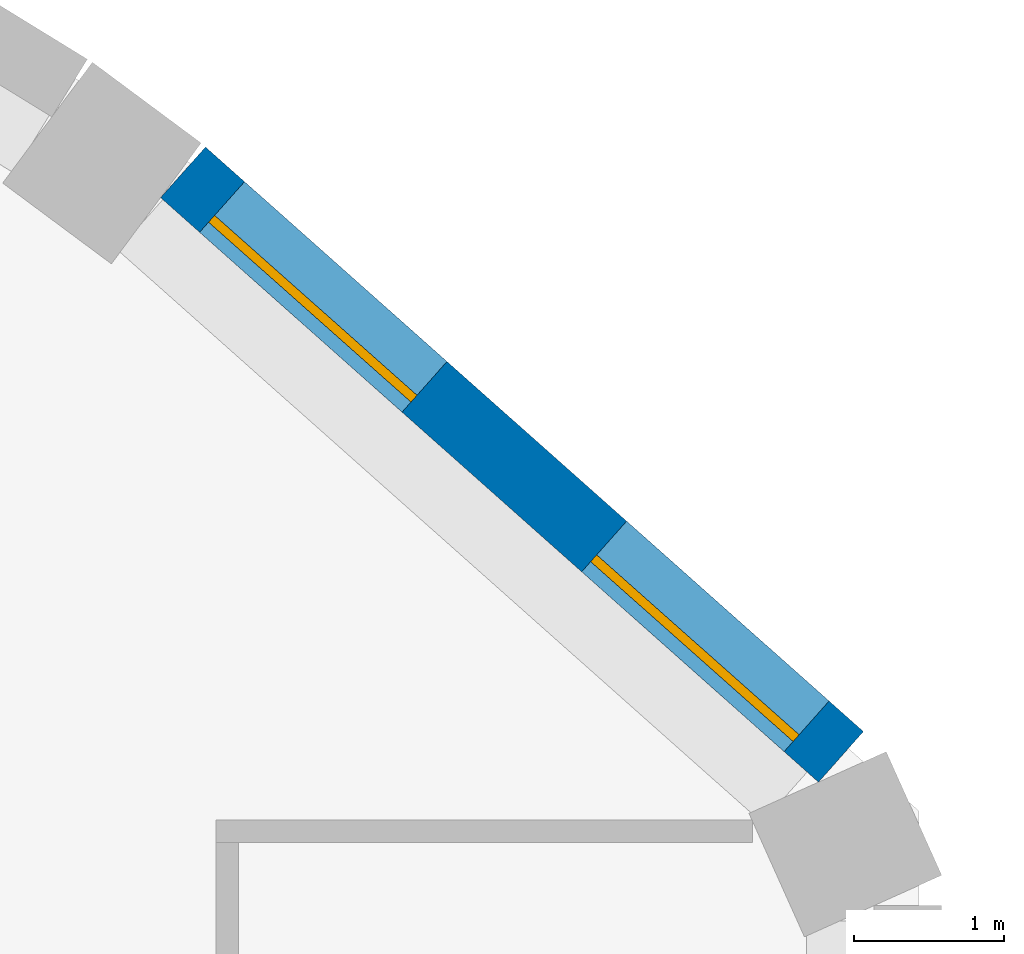
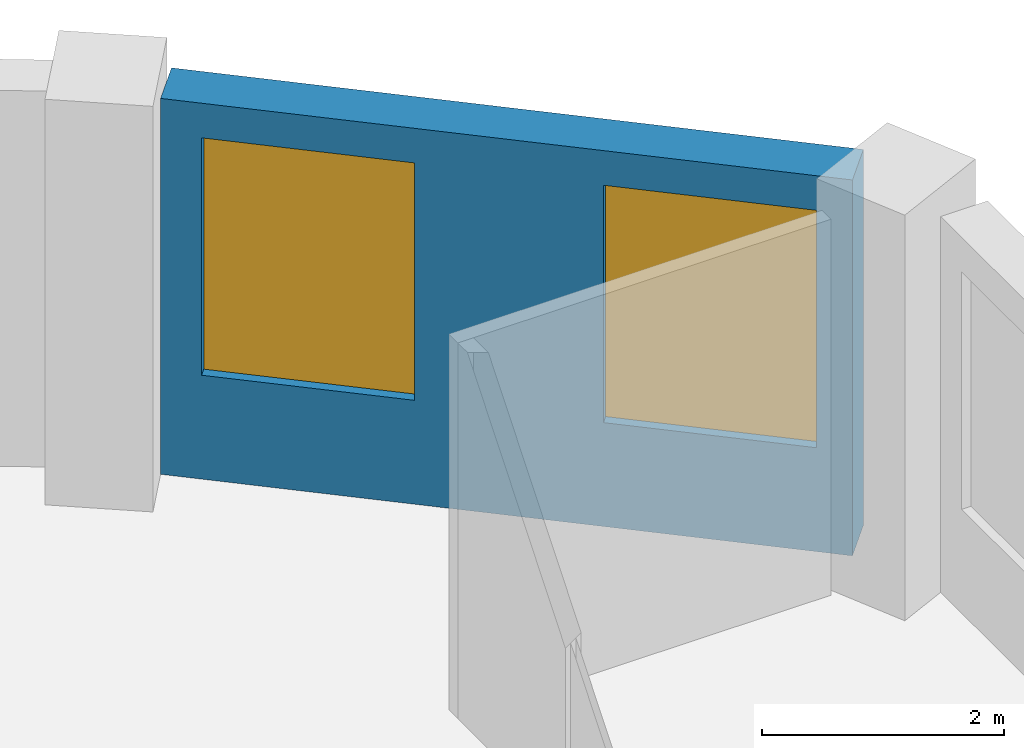
# One storey, part 8 of 15: 2 windows, 1 wall, 2 openings.
"""IFC4 building model written with IfcOpenShell, lengths in metres."""

from ifc_helpers import new_model, si_unit, direction, frame, frame_2d, origin, place, context, subcontext, project, spatial, rectangle, extrude, material, layer, layer_set, type_object, element, fill, save


model = new_model("IFC4")

# Units and contexts
model_context = context("Model", 3, precision=1e-05, world=origin(), true_north=direction((0.0, 1.0)))
body_context = subcontext(model_context, "Body", "Model", "MODEL_VIEW")
ifc_project = project(units=[si_unit("LENGTHUNIT", "METRE"), si_unit("AREAUNIT", "SQUARE_METRE"), si_unit("VOLUMEUNIT", "CUBIC_METRE"), si_unit("PLANEANGLEUNIT", "RADIAN"), si_unit("MASSUNIT", "GRAM", prefix="KILO")], contexts=[model_context])

# Site, building, storey
site_placement = place(None, origin())
site = spatial("IfcSite", under=ifc_project, at=site_placement, CompositionType="ELEMENT")
building_placement = place(site_placement, origin())
building = spatial("IfcBuilding", under=site, at=building_placement, Name="Cypress Arch Tower", CompositionType="ELEMENT")
storey_placement = place(building_placement, frame((0.0, 0.0, 292.60009765625)))
storey = spatial("IfcBuildingStorey", under=building, at=storey_placement, Name="L66", CompositionType="ELEMENT", Elevation=292.60009765625)

# Wall, openings, windows
ifc_material_1 = material(Name="Brick (red buff blend)", Category="masonry")
ifc_layer = layer(ifc_material_1, 0.449951171875)
ifc_layer_set = layer_set([ifc_layer], Name="Brick pier and spandrel wall BW450")
wall_type = type_object("IfcWallType", Name="Brick pier and spandrel wall BW450", PredefinedType="SOLIDWALL", material=ifc_layer_set)
wall_placement = place(storey_placement, frame((24.08056640625, 14.361083984375, 0.0), z_axis=(0.0, 0.0, 1.0), x_axis=(-0.747570482973, 0.664182484704, 0.0)))
wall = element("IfcWall", 1, at=wall_placement, inside=storey, type_object=wall_type, Name="Brick wall L66 C18.0", PredefinedType="SOLIDWALL", context=body_context, shape_type="SweptSolid", body=[
    extrude(rectangle(XDim=5.849609375, YDim=0.449951171875, at=frame_2d((2.9248046875, 0.0))), origin(), (0.0, 0.0, 1.0), 3.7998046875),
])
opening_1_placement = place(wall_placement, frame((0.305419921875, 0.0, 1.050048828125)))
opening_1 = element("IfcOpeningElement", 2, at=opening_1_placement, cuts=wall, Name="Opening W180O", PredefinedType="OPENING", context=body_context, shape_type="SweptSolid", body=[
    extrude(rectangle(XDim=1.800048828125, YDim=2.39990234375, at=frame_2d((0.89990234375, 1.199951171875))), frame((0.0, 0.23486328125, 0.0), z_axis=(0.0, -1.0, 0.0), x_axis=(1.0, 0.0, 0.0)), (0.0, 0.0, 1.0), 0.469970703125),
])
opening_2_placement = place(wall_placement, frame((3.702880859375, 0.0, 1.050048828125)))
opening_2 = element("IfcOpeningElement", 3, at=opening_2_placement, cuts=wall, Name="Opening W180O", PredefinedType="OPENING", context=body_context, shape_type="SweptSolid", body=[
    extrude(rectangle(XDim=1.800048828125, YDim=2.39990234375, at=frame_2d((0.89990234375, 1.199951171875))), frame((0.0, 0.23486328125, 0.0), z_axis=(0.0, -1.0, 0.0), x_axis=(1.0, 0.0, 0.0)), (0.0, 0.0, 1.0), 0.469970703125),
])
ifc_material_2 = material(Name="Anodised aluminium, bronze finish, clear low-emissivity double glazing", Category="aluminium")
window_type = type_object("IfcWindowType", Name="Window Office 1800x2400", PartitioningType="SINGLE_PANEL", PredefinedType="WINDOW", material=ifc_material_2)
window_1_placement = place(opening_1_placement, origin())
window_1 = element("IfcWindow", 4, at=window_1_placement, inside=storey, type_object=window_type, Name="Window L66 C18.0.1", OverallHeight=2.39990234375, OverallWidth=1.800048828125, PartitioningType="SINGLE_PANEL", PredefinedType="WINDOW", context=body_context, shape_type="SweptSolid", body=[
    extrude(rectangle(XDim=1.800048828125, YDim=2.39990234375, at=frame_2d((0.89990234375, 1.199951171875))), frame((0.0, 0.135009765625, 0.0), z_axis=(0.0, -1.0, 0.0), x_axis=(1.0, 0.0, 0.0)), (0.0, 0.0, 1.0), 0.06005859375),
])
fill(opening_1, window_1)
window_2_placement = place(opening_2_placement, origin())
window_2 = element("IfcWindow", 5, at=window_2_placement, inside=storey, type_object=window_type, Name="Window L66 C18.0.2", OverallHeight=2.39990234375, OverallWidth=1.800048828125, PartitioningType="SINGLE_PANEL", PredefinedType="WINDOW", context=body_context, shape_type="SweptSolid", body=[
    extrude(rectangle(XDim=1.800048828125, YDim=2.39990234375, at=frame_2d((0.89990234375, 1.199951171875))), frame((0.0, 0.135009765625, 0.0), z_axis=(0.0, -1.0, 0.0), x_axis=(1.0, 0.0, 0.0)), (0.0, 0.0, 1.0), 0.06005859375),
])
fill(opening_2, window_2)

save(model, "model.ifc")
